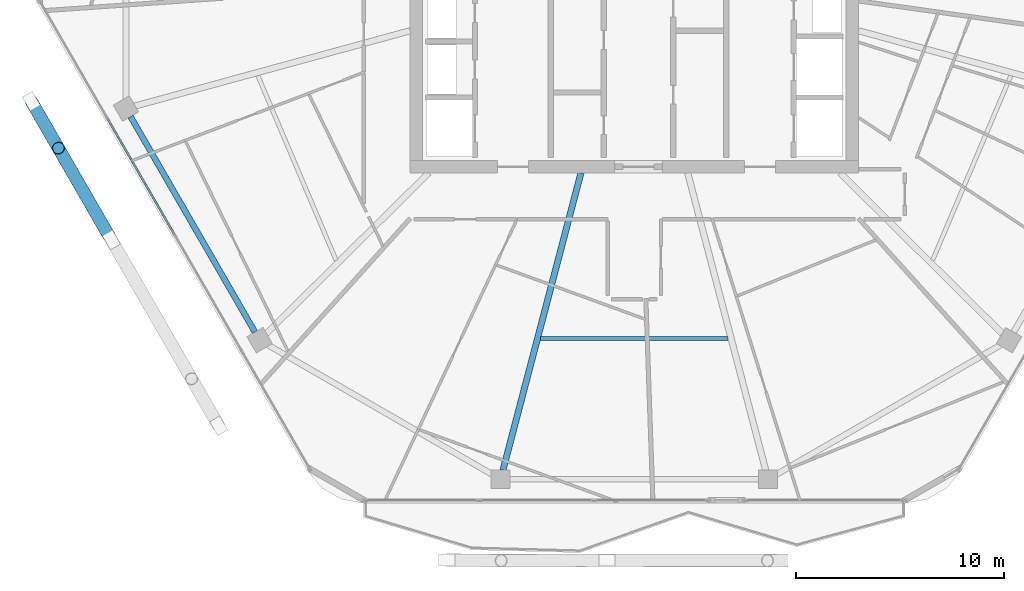
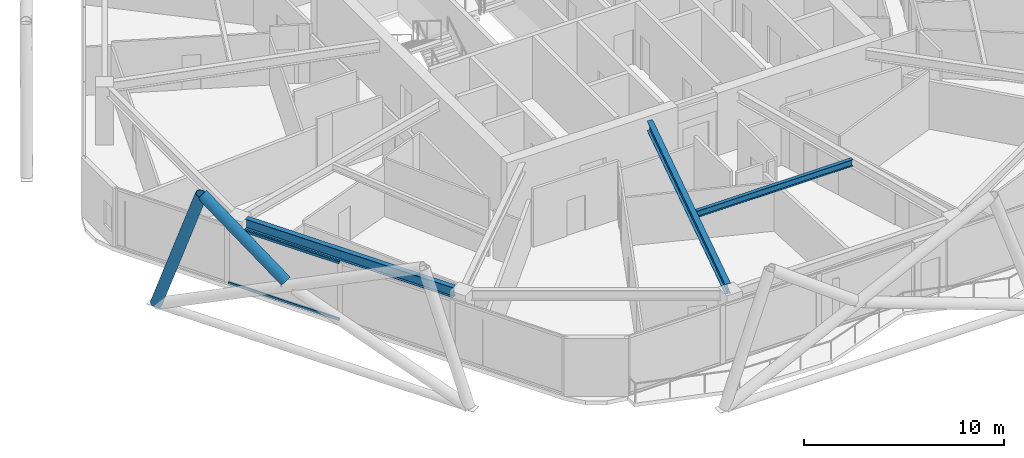
# One storey, part 5 of 26: 4 members, 3 beams, 1 element without a shape of its own.
"""IFC4 building model written with IfcOpenShell, lengths in metres."""

from ifc_helpers import new_model, si_unit, direction, frame, origin, origin_2d, place, context, subcontext, project, spatial, hollow_rectangle, hollow_circle, i_section, extrude, material, material_profile, profile_set, type_object, element, aggregate, save


model = new_model("IFC4")

# Units and contexts
model_context = context("Model", 3, precision=1e-05, world=origin(), true_north=direction((0.0, 1.0)))
body_context = subcontext(model_context, "Body", "Model", "MODEL_VIEW")
ifc_project = project(units=[si_unit("LENGTHUNIT", "METRE"), si_unit("AREAUNIT", "SQUARE_METRE"), si_unit("VOLUMEUNIT", "CUBIC_METRE"), si_unit("PLANEANGLEUNIT", "RADIAN"), si_unit("MASSUNIT", "GRAM", prefix="KILO")], contexts=[model_context])

# Site, building, storey
site_placement = place(None, origin())
site = spatial("IfcSite", under=ifc_project, at=site_placement, CompositionType="ELEMENT")
building_placement = place(site_placement, origin())
building = spatial("IfcBuilding", under=site, at=building_placement, Name="Zuhravey Tower", CompositionType="ELEMENT")
storey_placement = place(building_placement, frame((0.0, 0.0, 231.199951171875)))
storey = spatial("IfcBuildingStorey", under=building, at=storey_placement, Name="L58", CompositionType="ELEMENT", Elevation=231.199951171875)

# Curtain wall, members
ifc_material_1 = material(Name="Thermally broken anodised aluminium", Category="aluminium")
curtain_wall_type = type_object("IfcCurtainWallType", Name="Zone 3-4 High-Rise Curtain Wall CW4", PredefinedType="NOTDEFINED", material=ifc_material_1)
curtain_wall_placement = place(storey_placement, origin())
curtain_wall = element("IfcCurtainWall", 1, at=curtain_wall_placement, inside=storey, type_object=curtain_wall_type, Name="L58 CW4 CW-L58-F4-1", PredefinedType="NOTDEFINED")
ifc_material_2 = material(Name="Anodised aluminium", Category="aluminium")
ifc_material_profile_1 = material_profile(ifc_material_2, hollow_rectangle(XDim=0.090087890625, YDim=0.14990234375, WallThickness=0.0048828125, at=origin_2d()), Name="ALU-RHS-90x150x5")
ifc_profile_set_1 = profile_set([ifc_material_profile_1], Name="Anodised aluminium")
member_type_1 = type_object("IfcMemberType", Name="Curtain-Wall Transom 90x150", PredefinedType="USERDEFINED", material=ifc_profile_set_1)
member_1_placement = place(storey_placement, frame((13.8388671875, 19.257080078125, 0.045166015625), z_axis=(-0.499998017366, 0.866026548456, 0.0), x_axis=(-0.866026548456, -0.499998017366, 0.0)))
member_1 = element("IfcMember", 2, at=member_1_placement, type_object=member_type_1, Name="CW4 transom 3.1", ObjectType="TRANSOM", PredefinedType="USERDEFINED", context=body_context, shape_type="SweptSolid", body=[
    extrude(hollow_rectangle(XDim=0.090087890625, YDim=0.14990234375, WallThickness=0.0048828125, at=origin_2d()), origin(), (0.0, 0.0, 1.0), 6.41650390625),
])
member_2_placement = place(storey_placement, frame((13.8388671875, 19.257080078125, 3.505126953125), z_axis=(-0.499998017366, 0.866026548456, 0.0), x_axis=(-0.866026548456, -0.499998017366, 0.0)))
member_2 = element("IfcMember", 3, at=member_2_placement, type_object=member_type_1, Name="CW4 transom 3.2", ObjectType="TRANSOM", PredefinedType="USERDEFINED", context=body_context, shape_type="SweptSolid", body=[
    extrude(hollow_rectangle(XDim=0.090087890625, YDim=0.14990234375, WallThickness=0.0048828125, at=origin_2d()), origin(), (0.0, 0.0, 1.0), 6.41650390625),
])
aggregate(curtain_wall, [member_1, member_2])

# Members
ifc_material_3 = material(Name="Steel SM355", Category="steel")
ifc_material_profile_2 = material_profile(ifc_material_3, hollow_circle(Radius=0.3046875, WallThickness=0.028076171875, at=origin_2d()), Name="CHS-609.6x28")
ifc_profile_set_2 = profile_set([ifc_material_profile_2], Name="Steel SM355")
member_type_2 = type_object("IfcMemberType", Name="Exoskeleton Zone 3 Diagrid CHS610x28", PredefinedType="BRACE", material=ifc_profile_set_2)
member_3_placement = place(storey_placement, frame((6.959716796875, 25.652099609375, -0.446044921875), z_axis=(0.163025919799, -0.282358574176, 0.945355057671), x_axis=(0.866017274468, 0.500014080125, 0.0)))
element("IfcMember", 4, at=member_3_placement, inside=storey, type_object=member_type_2, Name="L58 Face 4 Diagrid Brace 1", PredefinedType="BRACE", context=body_context, shape_type="SweptSolid", body=[
    extrude(hollow_circle(Radius=0.3046875, WallThickness=0.028076171875, at=origin_2d()), origin(), (0.0, 0.0, 1.0), 8.00146484375),
])
member_4_placement = place(storey_placement, frame((10.697509765625, 19.17822265625, 3.512451171875), z_axis=(-0.400891125814, 0.694302238023, 0.597687801047), x_axis=(-0.866006207073, -0.500033248206, 0.0)))
element("IfcMember", 5, at=member_4_placement, inside=storey, type_object=member_type_2, Name="L58 Face 4 Split Diagrid Brace 3B", PredefinedType="BRACE", context=body_context, shape_type="SweptSolid", body=[
    extrude(hollow_circle(Radius=0.3046875, WallThickness=0.028076171875, at=origin_2d()), origin(), (0.0, 0.0, 1.0), 6.021728515625),
])

# Beams
ifc_material_profile_3 = material_profile(ifc_material_3, i_section(OverallWidth=0.280029296875, OverallDepth=0.6201171875, WebThickness=0.011962890625, FlangeThickness=0.02001953125, at=origin_2d()), Name="H-620x280x12x20")
ifc_profile_set_3 = profile_set([ifc_material_profile_3], Name="Steel SM355")
beam_type_1 = type_object("IfcBeamType", Name="Perimeter Ring Beam H620x280", PredefinedType="BEAM", material=ifc_profile_set_3)
beam_1_placement = place(storey_placement, frame((11.741943359375, 24.90869140625, 3.239990234375), z_axis=(0.500017744717, -0.866015158625, 0.0), x_axis=(0.866015158625, 0.500017744717, 0.0)))
element("IfcBeam", 6, at=beam_1_placement, inside=storey, type_object=beam_type_1, Name="L58 PB3 BM-L58-PB-07", PredefinedType="BEAM", context=body_context, shape_type="SweptSolid", body=[
    extrude(i_section(OverallWidth=0.280029296875, OverallDepth=0.6201171875, WebThickness=0.011962890625, FlangeThickness=0.02001953125, at=origin_2d()), origin(), (0.0, 0.0, 1.0), 11.9755859375),
])
ifc_material_profile_4 = material_profile(ifc_material_3, i_section(OverallWidth=0.300048828125, OverallDepth=0.60009765625, WebThickness=0.011962890625, FlangeThickness=0.02001953125, at=origin_2d()), Name="H-600x300x12x20")
ifc_profile_set_4 = profile_set([ifc_material_profile_4], Name="Steel SM355")
beam_type_2 = type_object("IfcBeamType", Name="Radial Primary Girder H600x300", PredefinedType="BEAM", material=ifc_profile_set_4)
beam_2_placement = place(storey_placement, frame((33.428466796875, 22.197021484375, 3.25), z_axis=(-0.253731415841, -0.967274712073, 0.0), x_axis=(0.967274712073, -0.253731415841, 0.0)))
element("IfcBeam", 7, at=beam_2_placement, inside=storey, type_object=beam_type_2, Name="L58 RG3 BM-L58-RAD-09", PredefinedType="BEAM", context=body_context, shape_type="SweptSolid", body=[
    extrude(i_section(OverallWidth=0.300048828125, OverallDepth=0.60009765625, WebThickness=0.011962890625, FlangeThickness=0.02001953125, at=origin_2d()), origin(), (0.0, 0.0, 1.0), 14.796630859375),
])
ifc_material_profile_5 = material_profile(ifc_material_3, i_section(OverallWidth=0.199951171875, OverallDepth=0.39990234375, WebThickness=0.008056640625, FlangeThickness=0.012939453125, at=origin_2d()), Name="H-400x200x8x13")
ifc_profile_set_5 = profile_set([ifc_material_profile_5], Name="Steel SM355")
beam_type_3 = type_object("IfcBeamType", Name="Secondary Floor Joist H400x200", PredefinedType="JOIST", material=ifc_profile_set_5)
beam_3_placement = place(storey_placement, frame((31.492919921875, 14.231689453125, 3.35009765625), z_axis=(1.0, 0.0, 0.0), x_axis=(0.0, 1.0, 0.0)))
element("IfcBeam", 8, at=beam_3_placement, inside=storey, type_object=beam_type_3, Name="L58 SJ2 BM-L58-SJ-09-1", PredefinedType="JOIST", context=body_context, shape_type="SweptSolid", body=[
    extrude(i_section(OverallWidth=0.199951171875, OverallDepth=0.39990234375, WebThickness=0.008056640625, FlangeThickness=0.012939453125, at=origin_2d()), origin(), (0.0, 0.0, 1.0), 9.01416015625),
])

save(model, "model.ifc")
